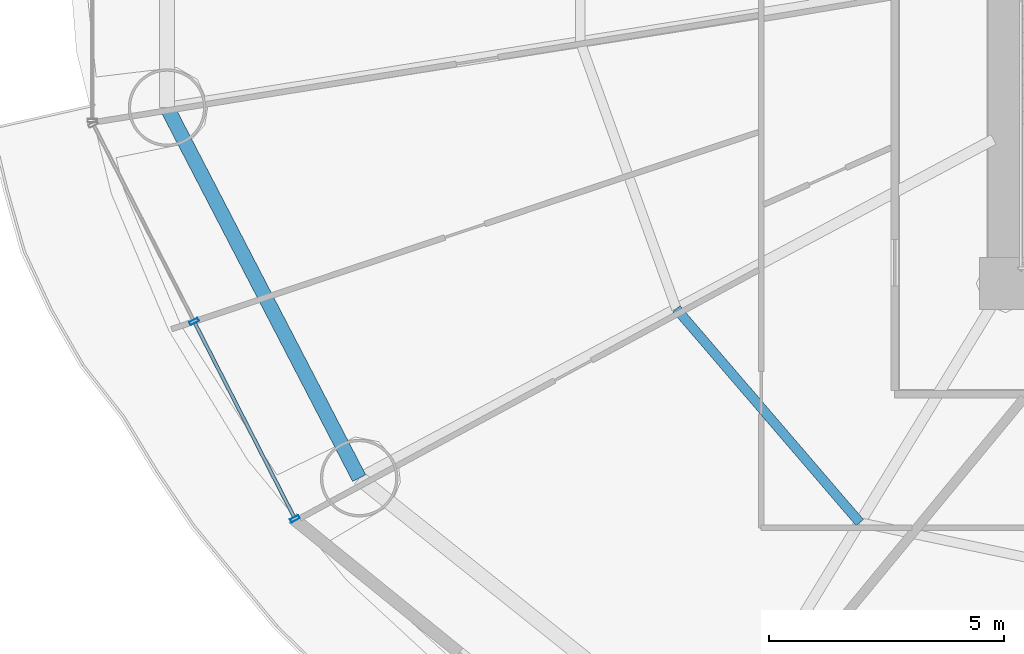
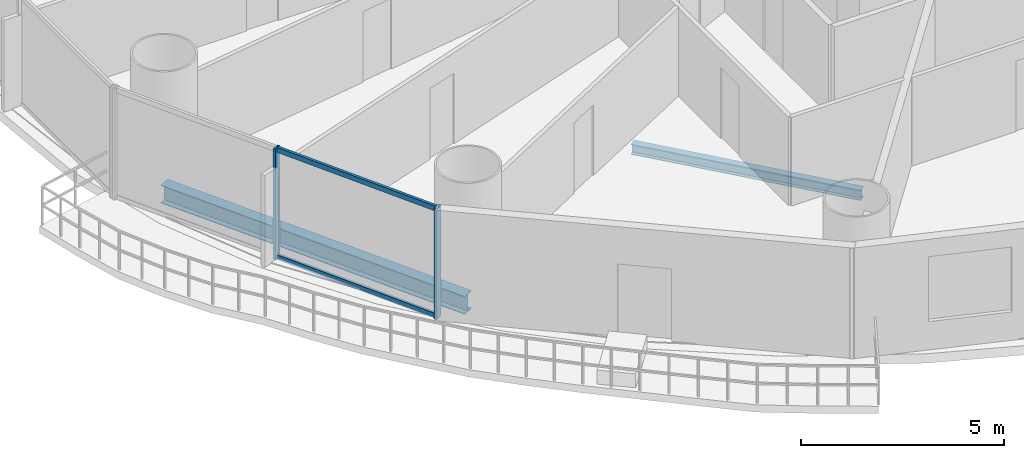
# One storey, part 2 of 29: 4 members, 2 beams, 1 element without a shape of its own.
"""IFC4 building model written with IfcOpenShell, lengths in metres."""

from ifc_helpers import new_model, si_unit, direction, frame, origin, origin_2d, place, context, subcontext, project, spatial, hollow_rectangle, i_section, extrude, source, transform, mapped, material, material_profile, profile_set, type_object, element, aggregate, save


model = new_model("IFC4")

# Units and contexts
model_context = context("Model", 3, precision=1e-05, world=origin(), true_north=direction((-0.2419218956, 0.970295726276)))
body_context = subcontext(model_context, "Body", "Model", "MODEL_VIEW")
ifc_project = project(units=[si_unit("LENGTHUNIT", "METRE"), si_unit("AREAUNIT", "SQUARE_METRE"), si_unit("VOLUMEUNIT", "CUBIC_METRE"), si_unit("PLANEANGLEUNIT", "RADIAN"), si_unit("MASSUNIT", "GRAM", prefix="KILO")], contexts=[model_context])

# Site, building, storey
site_placement = place(None, origin())
site = spatial("IfcSite", under=ifc_project, at=site_placement, CompositionType="ELEMENT")
building_placement = place(site_placement, origin())
building = spatial("IfcBuilding", under=site, at=building_placement, Name="Cobrevalo Terracotta Tower", CompositionType="ELEMENT")
storey_placement = place(building_placement, frame((0.0, 0.0, 45.60009765625)))
storey = spatial("IfcBuildingStorey", under=building, at=storey_placement, Name="L11", CompositionType="ELEMENT", Elevation=45.60009765625)

# Beams
ifc_material_1 = material(Name="Steel S355", Category="steel")
ifc_material_profile_1 = material_profile(ifc_material_1, i_section(OverallWidth=0.2041015625, OverallDepth=0.305908203125, WebThickness=0.008544921875, FlangeThickness=0.0146484375, at=origin_2d()), Name="W 310x67")
ifc_profile_set_1 = profile_set([ifc_material_profile_1], Name="Steel S355")
beam_type_1 = type_object("IfcBeamType", Name="Structural Joist W 310x67 (Steel S355)", PredefinedType="JOIST", material=ifc_profile_set_1)
beam_1_placement = place(storey_placement, frame((22.002197265625, 18.26025390625, -0.43310546875), z_axis=(0.651328404454, -0.758795960421, 0.0), x_axis=(0.758795960421, 0.651328404454, 0.0)))
element("IfcBeam", 1, at=beam_1_placement, inside=storey, type_object=beam_type_1, Name="L11 circumferential secondary floor joist 10", PredefinedType="JOIST", context=body_context, shape_type="SweptSolid", body=[
    extrude(i_section(OverallWidth=0.2041015625, OverallDepth=0.305908203125, WebThickness=0.008544921875, FlangeThickness=0.0146484375, at=origin_2d()), origin(), (0.0, 0.0, 1.0), 5.98828125),
])
ifc_material_profile_2 = material_profile(ifc_material_1, i_section(OverallWidth=0.31201171875, OverallDepth=0.54296875, WebThickness=0.0126953125, FlangeThickness=0.020263671875, at=origin_2d()), Name="W 530x150")
ifc_profile_set_2 = profile_set([ifc_material_profile_2], Name="Steel S355")
beam_type_2 = type_object("IfcBeamType", Name="Structural Spandrel W 530x150 (Steel S355)", PredefinedType="SPANDREL", material=ifc_profile_set_2)
beam_2_placement = place(storey_placement, frame((11.175537109375, 22.537353515625, -0.551513671875), z_axis=(0.460285838799, -0.88777077368, 0.0), x_axis=(0.88777077368, 0.460285838799, 0.0)))
element("IfcBeam", 2, at=beam_2_placement, inside=storey, type_object=beam_type_2, Name="L11 perimeter ring spandrel 09", PredefinedType="SPANDREL", context=body_context, shape_type="SweptSolid", body=[
    extrude(i_section(OverallWidth=0.31201171875, OverallDepth=0.54296875, WebThickness=0.0126953125, FlangeThickness=0.020263671875, at=origin_2d()), origin(), (0.0, 0.0, 1.0), 8.8720703125),
])

# Curtain wall, members
ifc_material_2 = material(Name="Anodized aluminium", Category="aluminium")
curtain_wall_type = type_object("IfcCurtainWallType", Name="Lower-tower unitised acoustic low-E curtain wall CW-U1", PredefinedType="NOTDEFINED", material=ifc_material_2)
curtain_wall_placement = place(storey_placement, origin())
curtain_wall = element("IfcCurtainWall", 3, at=curtain_wall_placement, inside=storey, type_object=curtain_wall_type, Name="L11 curtain wall CW-L11-S09", PredefinedType="NOTDEFINED")
ifc_material_profile_3 = material_profile(ifc_material_2, hollow_rectangle(XDim=0.074951171875, YDim=0.199951171875, WallThickness=0.0048828125, at=origin_2d()), Name="CWM 75x200")
ifc_profile_set_3 = profile_set([ifc_material_profile_3], Name="Anodized aluminium")
member_type_1 = type_object("IfcMemberType", Name="Lower/mid tower unitised mullion 75x200", PredefinedType="MULLION", material=ifc_profile_set_3)
shared_shape_1 = source(origin(), body_context, "Body", "SweptSolid", [
    extrude(hollow_rectangle(XDim=0.074951171875, YDim=0.199951171875, WallThickness=0.0048828125, at=origin_2d()), origin(), (0.0, 0.0, 1.0), 3.31982421875),
])
member_1_placement = place(storey_placement, frame((11.74951171875, 17.990966796875, 0.0), z_axis=(0.0, 0.0, 1.0), x_axis=(0.455234136597, -0.890371765543, 0.0)))
member_1 = element("IfcMember", 4, at=member_1_placement, type_object=member_type_1, Name="CW-L11-S09 vertical mullion 02", PredefinedType="MULLION", context=body_context, shape_type="MappedRepresentation", body=[
    mapped(shared_shape_1, transform((0.0, 0.0, 0.0), scale=1.0)),
])
member_2_placement = place(storey_placement, frame((13.89404296875, 13.79638671875, 0.0), z_axis=(0.0, 0.0, 1.0), x_axis=(0.455234136597, -0.890371765543, 0.0)))
member_2 = element("IfcMember", 5, at=member_2_placement, type_object=member_type_1, Name="CW-L11-S09 vertical mullion 03", PredefinedType="MULLION", context=body_context, shape_type="MappedRepresentation", body=[
    mapped(shared_shape_1, transform((0.0, 0.0, 0.0), scale=1.0)),
])
ifc_material_profile_4 = material_profile(ifc_material_2, hollow_rectangle(XDim=0.074951171875, YDim=0.14990234375, WallThickness=0.00439453125, at=origin_2d()), Name="CWT 75x150")
ifc_profile_set_4 = profile_set([ifc_material_profile_4], Name="Anodized aluminium")
member_type_2 = type_object("IfcMemberType", Name="Tower unitised aluminium transom 75x150", PredefinedType="USERDEFINED", material=ifc_profile_set_4)
shared_shape_2 = source(origin(), body_context, "Body", "SweptSolid", [
    extrude(hollow_rectangle(XDim=0.074951171875, YDim=0.14990234375, WallThickness=0.00439453125, at=origin_2d()), origin(), (0.0, 0.0, 1.0), 4.631103515625),
])
member_3_placement = place(storey_placement, frame((11.767578125, 17.955322265625, 0.0498046875), z_axis=(0.455271744945, -0.89035253594, 0.0), x_axis=(0.89035253594, 0.455271744945, 0.0)))
member_3 = element("IfcMember", 6, at=member_3_placement, type_object=member_type_2, Name="CW-L11-S09 transom B02-T1", ObjectType="TRANSOM", PredefinedType="USERDEFINED", context=body_context, shape_type="MappedRepresentation", body=[
    mapped(shared_shape_2, transform((0.0, 0.0, 0.0), scale=1.0)),
])
member_4_placement = place(storey_placement, frame((11.767578125, 17.955322265625, 3.27001953125), z_axis=(0.455271744945, -0.89035253594, 0.0), x_axis=(0.89035253594, 0.455271744945, 0.0)))
member_4 = element("IfcMember", 7, at=member_4_placement, type_object=member_type_2, Name="CW-L11-S09 transom B02-T2", ObjectType="TRANSOM", PredefinedType="USERDEFINED", context=body_context, shape_type="MappedRepresentation", body=[
    mapped(shared_shape_2, transform((0.0, 0.0, 0.0), scale=1.0)),
])
aggregate(curtain_wall, [member_1, member_2, member_3, member_4])

save(model, "model.ifc")
